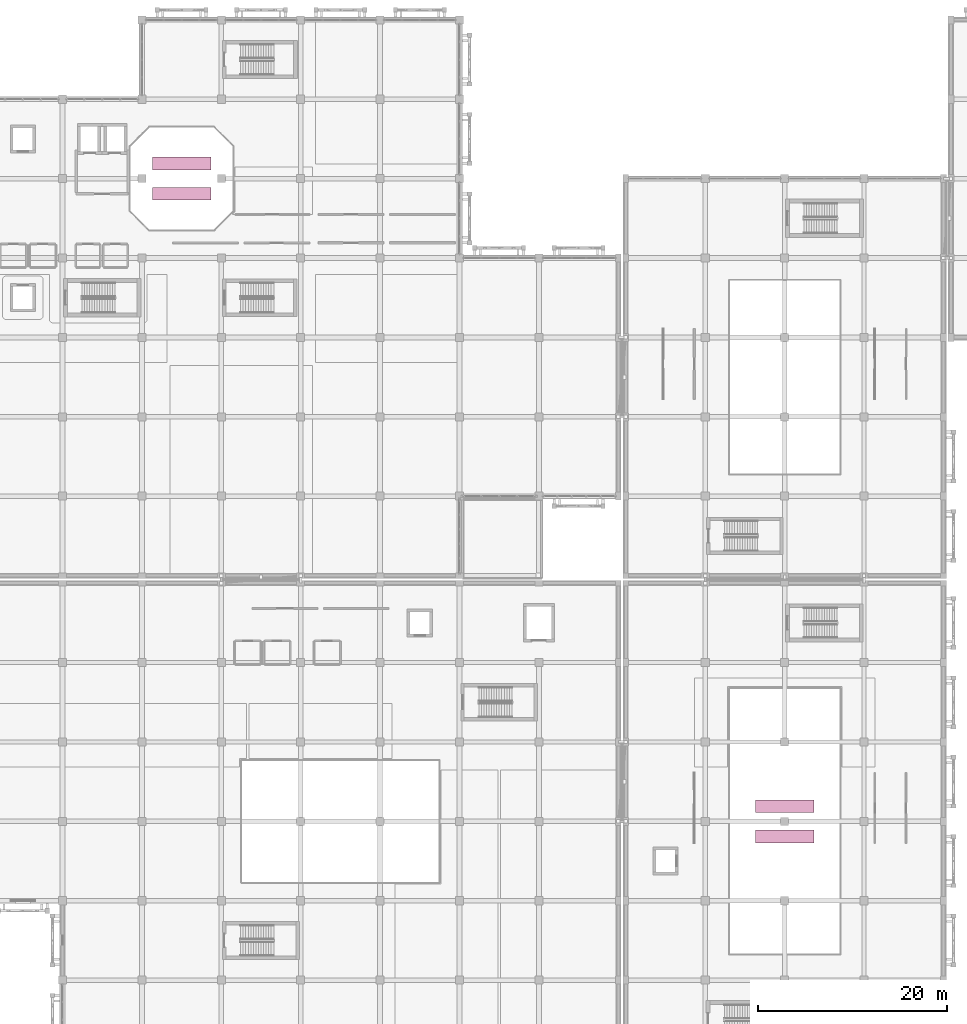
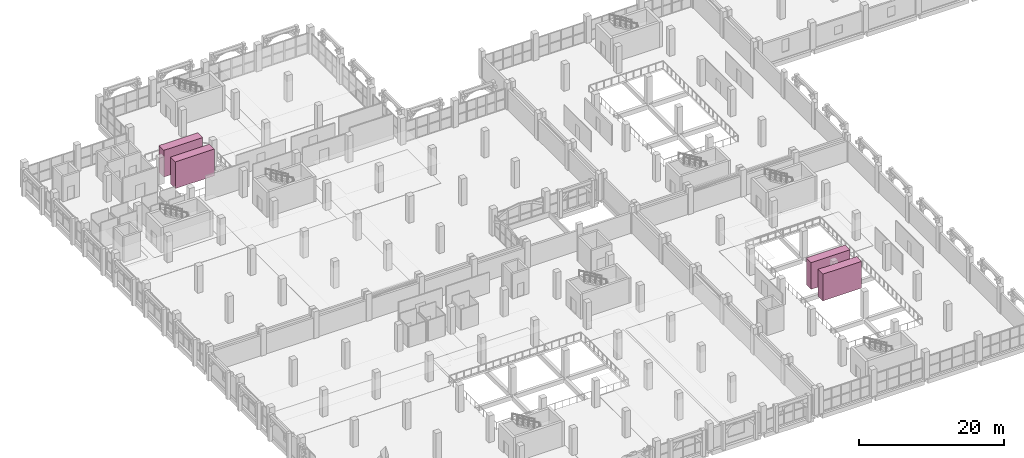
# One storey, part 137 of 137: 4 transport elements.
"""IFC4 building model written with IfcOpenShell, lengths in metres."""

from ifc_helpers import new_model, si_unit, direction, frame, origin, origin_2d, place, context, subcontext, project, spatial, rectangle, extrude, material, type_object, element, save


model = new_model("IFC4")

# Units and contexts
model_context = context("Model", 3, precision=1e-05, world=origin(), true_north=direction((0.0, 1.0)))
body_context = subcontext(model_context, "Body", "Model", "MODEL_VIEW")
ifc_project = project(units=[si_unit("LENGTHUNIT", "METRE"), si_unit("AREAUNIT", "SQUARE_METRE"), si_unit("VOLUMEUNIT", "CUBIC_METRE"), si_unit("PLANEANGLEUNIT", "RADIAN"), si_unit("MASSUNIT", "GRAM", prefix="KILO")], contexts=[model_context])

# Site, building, storey
site_placement = place(None, origin())
site = spatial("IfcSite", under=ifc_project, at=site_placement, CompositionType="ELEMENT")
building_placement = place(site_placement, origin())
building = spatial("IfcBuilding", under=site, at=building_placement, Name="Xazarin Passage Department Store", CompositionType="ELEMENT")
storey_placement = place(building_placement, frame((0.0, 0.0, 5.39990234375)))
storey = spatial("IfcBuildingStorey", under=building, at=storey_placement, Name="L01", CompositionType="ELEMENT", Elevation=5.39990234375)

# Transport elements
ifc_material = material(Name="Steel S355", Category="steel")
transport_element_type = type_object("IfcTransportElementType", Name="ARC-TR-ESC1000", PredefinedType="ESCALATOR", material=ifc_material)
for number, where, z_axis, x_axis, name in (
    (1, (21.0, 91.60009765625, 0.0), (0.0, 0.0, 1.0), (1.0, 0.0, 0.0), "L01 Escalator ES03"),
    (2, (21.0, 94.800048828125, 0.0), (0.0, 0.0, 1.0), (1.0, 0.0, 0.0), "L01 Escalator ES04"),
    (3, (84.800048828125, 23.60009765625, 0.0), (0.0, 0.0, 1.0), (1.0, 0.0, 0.0), "L01 Escalator ES17"),
    (4, (84.800048828125, 26.800048828125, 0.0), (0.0, 0.0, 1.0), (1.0, 0.0, 0.0), "L01 Escalator ES18"),
):
    element("IfcTransportElement", number, at=place(storey_placement, frame(where, z_axis=z_axis, x_axis=x_axis)), inside=storey, type_object=transport_element_type, Name=name, PredefinedType="ESCALATOR", context=body_context, shape_type="SweptSolid", body=[
        extrude(rectangle(XDim=6.199951171875, YDim=1.35009765625, at=origin_2d()), origin(), (0.0, 0.0, 1.0), 4.5),
    ])

save(model, "model.ifc")
